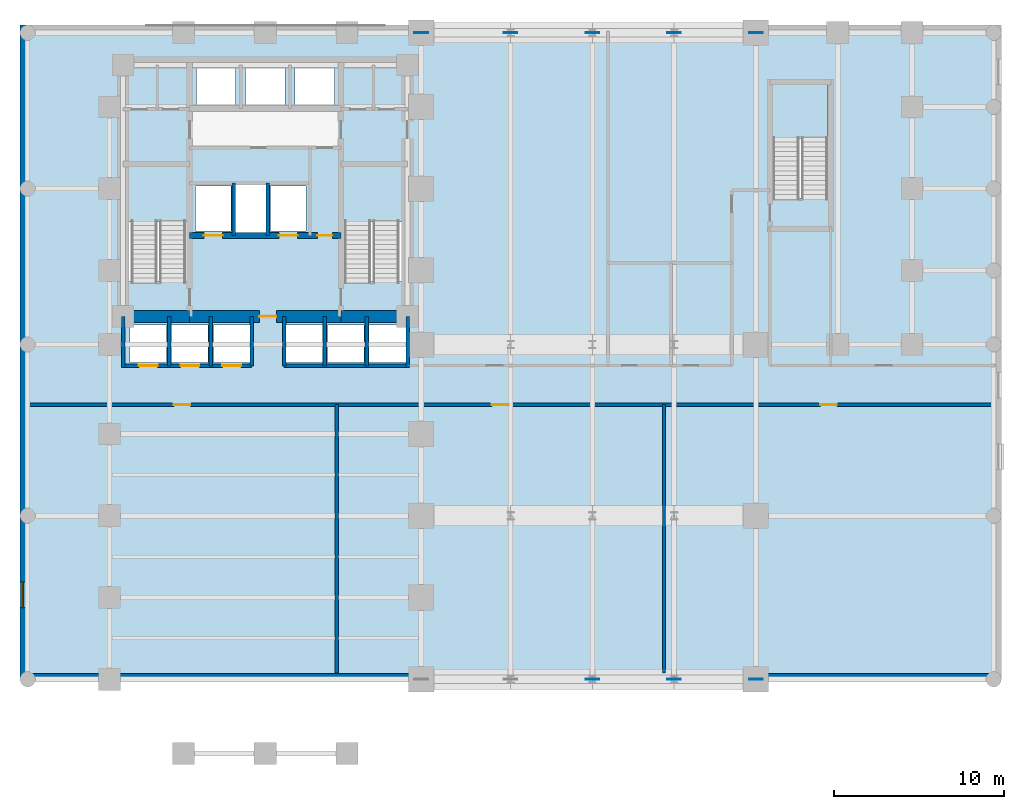
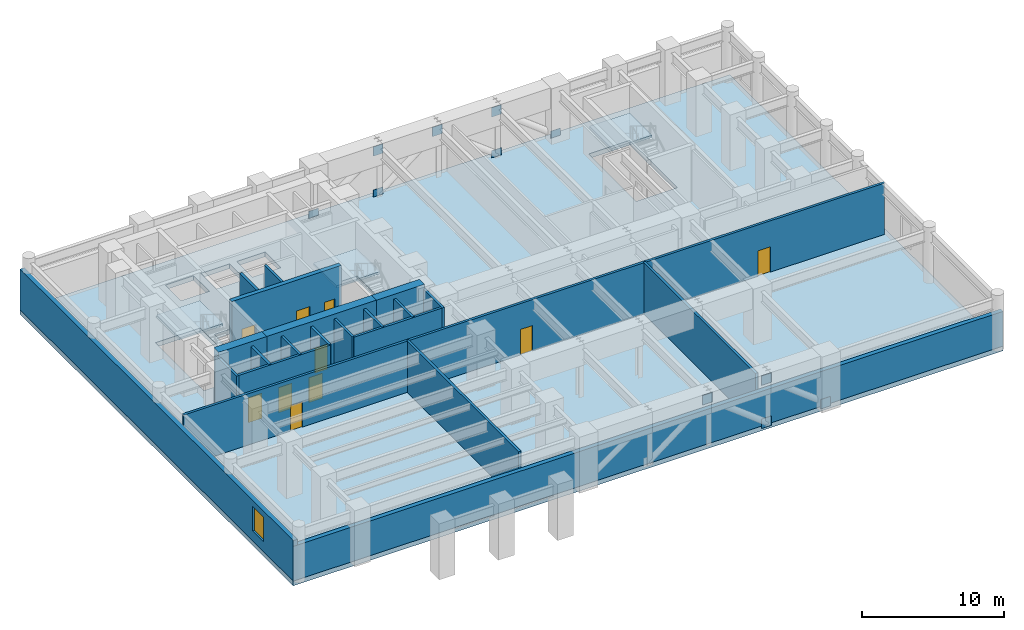
# One storey, part 3 of 8: 21 walls, 11 plates, 10 doors, 4 slabs, 1 window, 11 openings, 3 elements without a shape of their own.
"""IFC4 building model written with IfcOpenShell, lengths in metres."""

from ifc_helpers import new_model, si_unit, direction, frame, frame_2d, origin, origin_2d, place, context, subcontext, project, spatial, polyline, rectangle, outline, extrude, material, layer, layer_set, type_object, element, fill, aggregate, save


model = new_model("IFC4")

# Units and contexts
model_context = context("Model", 3, precision=1e-05, world=origin(), true_north=direction((0.0, 1.0)))
body_context = subcontext(model_context, "Body", "Model", "MODEL_VIEW")
ifc_project = project(units=[si_unit("LENGTHUNIT", "METRE"), si_unit("AREAUNIT", "SQUARE_METRE"), si_unit("VOLUMEUNIT", "CUBIC_METRE"), si_unit("PLANEANGLEUNIT", "RADIAN"), si_unit("MASSUNIT", "GRAM", prefix="KILO")], contexts=[model_context])

# Site, building, storey
site_placement = place(None, origin())
site = spatial("IfcSite", under=ifc_project, at=site_placement, CompositionType="ELEMENT")
building_placement = place(site_placement, origin())
building = spatial("IfcBuilding", under=site, at=building_placement, Name="Orvandelia Arch Residences", CompositionType="ELEMENT")
storey_placement = place(building_placement, frame((0.0, 0.0, 14.800048828125)))
storey = spatial("IfcBuildingStorey", under=building, at=storey_placement, Name="L03", CompositionType="ELEMENT", Elevation=14.800048828125)

# Plates
ifc_material_1 = material(Name="Structural Steel HSA650 (650 MPa)", Category="steel")
ifc_layer_1 = layer(ifc_material_1, 0.0400390625, Name="Structural Steel HSA650 (650 MPa)", Category="steel")
ifc_layer_set_1 = layer_set([ifc_layer_1], Name="Structural Steel HSA650 (650 MPa)")
plate_type = type_object("IfcPlateType", Name="PLT-GUSSET-800", PredefinedType="USERDEFINED", material=ifc_layer_set_1)
for number, where, z_axis, x_axis, name in (
    (1, (33.60009765625, 9.60009765625, 3.5), (0.0, 0.0, 1.0), (1.0, 0.0, 0.0), "Arch Transfer Truss Upper Gusset Plate GP1"),
    (2, (38.39990234375, 9.60009765625, -0.2001953125), (0.0, 0.0, 1.0), (1.0, 0.0, 0.0), "Arch Transfer Truss Lower Gusset Plate GP1"),
    (3, (43.199951171875, 9.60009765625, -0.2001953125), (0.0, 0.0, 1.0), (1.0, 0.0, 0.0), "Arch Transfer Truss Lower Gusset Plate GP1"),
    (4, (38.39990234375, 9.60009765625, 3.5), (0.0, 0.0, 1.0), (1.0, 0.0, 0.0), "Arch Transfer Truss Upper Gusset Plate GP1"),
    (5, (23.550048828125, 47.550048828125, -0.2001953125), (0.0, 0.0, 1.0), (1.0, 0.0, 0.0), "Arch Transfer Truss Lower Gusset Plate GP1"),
    (6, (28.800048828125, 47.550048828125, 3.5), (0.0, 0.0, 1.0), (1.0, 0.0, 0.0), "Arch Transfer Truss Upper Gusset Plate GP1"),
    (7, (28.800048828125, 47.550048828125, -0.2001953125), (0.0, 0.0, 1.0), (1.0, 0.0, 0.0), "Arch Transfer Truss Lower Gusset Plate GP1"),
    (8, (33.60009765625, 47.550048828125, 3.5), (0.0, 0.0, 1.0), (1.0, 0.0, 0.0), "Arch Transfer Truss Upper Gusset Plate GP1"),
    (9, (38.39990234375, 47.550048828125, -0.2001953125), (0.0, 0.0, 1.0), (1.0, 0.0, 0.0), "Arch Transfer Truss Lower Gusset Plate GP1"),
    (10, (43.199951171875, 47.550048828125, -0.2001953125), (0.0, 0.0, 1.0), (1.0, 0.0, 0.0), "Arch Transfer Truss Lower Gusset Plate GP1"),
    (11, (38.39990234375, 47.550048828125, 3.5), (0.0, 0.0, 1.0), (1.0, 0.0, 0.0), "Arch Transfer Truss Upper Gusset Plate GP1"),
):
    element("IfcPlate", number, at=place(storey_placement, frame(where, z_axis=z_axis, x_axis=x_axis)), inside=storey, type_object=plate_type, Name=name, ObjectType="GUSSET_PLATE", PredefinedType="USERDEFINED", context=body_context, shape_type="SweptSolid", body=[
        extrude(rectangle(XDim=0.800048828125, YDim=0.0400390625, at=origin_2d()), origin(), (0.0, 0.0, 1.0), 0.800048828125),
    ])

# Stair, slab
ifc_material_2 = material(Name="Concrete C40/50", Category="concrete")
stair_type = type_object("IfcStairType", Name="STAIR-RC-DOGLEG", PredefinedType="HALF_TURN_STAIR", material=ifc_material_2)
stair_1_placement = place(storey_placement, origin())
stair_1 = element("IfcStair", 12, at=stair_1_placement, inside=storey, type_object=stair_type, Name="L03 Protected Exit Stair ST-1", PredefinedType="HALF_TURN_STAIR")
ifc_layer_2 = layer(ifc_material_2, 0.219970703125, Name="Concrete C40/50", Category="concrete")
ifc_layer_set_2 = layer_set([ifc_layer_2], Name="Concrete C40/50")
slab_type_1 = type_object("IfcSlabType", Name="SLB-LANDING-220", PredefinedType="LANDING", material=ifc_layer_set_2)
slab_1_placement = place(storey_placement, frame((0.0, 0.0, 2.199951171875)))
slab_1 = element("IfcSlab", 13, at=slab_1_placement, type_object=slab_type_1, Name="ST-1 landing 1", PredefinedType="LANDING", context=body_context, shape_type="SweptSolid", body=[
    extrude(outline(polyline([(9.800048828125, 36.429931640625), (9.800048828125, 39.68994140625), (6.260009765625, 39.68994140625), (6.260009765625, 36.429931640625), (9.800048828125, 36.429931640625)])), origin(), (0.0, 0.0, 1.0), 0.199951171875),
])
aggregate(stair_1, [slab_1])

stair_2_placement = place(storey_placement, origin())
stair_2 = element("IfcStair", 14, at=stair_2_placement, inside=storey, type_object=stair_type, Name="L03 Protected Exit Stair ST-2", PredefinedType="HALF_TURN_STAIR")
slab_2_placement = place(storey_placement, frame((0.0, 0.0, 2.199951171875)))
slab_2 = element("IfcSlab", 15, at=slab_2_placement, type_object=slab_type_1, Name="ST-2 landing 1", PredefinedType="LANDING", context=body_context, shape_type="SweptSolid", body=[
    extrude(outline(polyline([(22.5400390625, 36.429931640625), (22.5400390625, 39.68994140625), (19.0, 39.68994140625), (19.0, 36.429931640625), (22.5400390625, 36.429931640625)])), origin(), (0.0, 0.0, 1.0), 0.199951171875),
])
aggregate(stair_2, [slab_2])

stair_3_placement = place(storey_placement, origin())
stair_3 = element("IfcStair", 16, at=stair_3_placement, inside=storey, type_object=stair_type, Name="L03 East Wing Exit Stair ST-3", PredefinedType="HALF_TURN_STAIR")
slab_3_placement = place(storey_placement, frame((0.0, 0.0, 2.199951171875)))
slab_3 = element("IfcSlab", 17, at=slab_3_placement, type_object=slab_type_1, Name="ST-3 landing 1", PredefinedType="LANDING", context=body_context, shape_type="SweptSolid", body=[
    extrude(outline(polyline([(47.43994140625, 41.330078125), (47.43994140625, 44.5), (44.179931640625, 44.5), (44.179931640625, 41.330078125), (47.43994140625, 41.330078125)])), origin(), (0.0, 0.0, 1.0), 0.199951171875),
])
aggregate(stair_3, [slab_3])

# Slab
ifc_material_3 = material(Name="Concrete C60/75", Category="concrete")
ifc_layer_3 = layer(ifc_material_3, 0.39990234375, Name="Concrete C60/75", Category="concrete")
ifc_layer_set_3 = layer_set([ifc_layer_3], Name="Concrete C60/75")
slab_type_2 = type_object("IfcSlabType", Name="SLB-XFER-400", PredefinedType="FLOOR", material=ifc_layer_set_3)
slab_4_placement = place(storey_placement, frame((0.0, 0.0, -0.400146484375)))
element("IfcSlab", 18, at=slab_4_placement, inside=storey, type_object=slab_type_2, Name="Structural Floor Slab L03-1", PredefinedType="FLOOR", context=body_context, shape_type="SweptSolid", body=[
    extrude(outline(polyline([(0.0, 9.60009765625), (57.60009765625, 9.60009765625), (57.60009765625, 48.0), (0.0, 48.0), (0.0, 9.60009765625)]), holes=[polyline([(6.219970703125, 32.949951171875), (9.840087890625, 32.949951171875), (9.840087890625, 39.72998046875), (6.219970703125, 39.72998046875), (6.219970703125, 32.949951171875)]), polyline([(18.9599609375, 32.949951171875), (22.580078125, 32.949951171875), (22.580078125, 39.72998046875), (18.9599609375, 39.72998046875), (18.9599609375, 32.949951171875)]), polyline([(44.139892578125, 37.85009765625), (47.47998046875, 37.85009765625), (47.47998046875, 44.5400390625), (44.139892578125, 44.5400390625), (44.139892578125, 37.85009765625)]), polyline([(12.639892578125, 35.81005859375), (14.4599609375, 35.81005859375), (14.4599609375, 38.639892578125), (12.639892578125, 38.639892578125), (12.639892578125, 35.81005859375)]), polyline([(10.300048828125, 35.89990234375), (12.39990234375, 35.89990234375), (12.39990234375, 38.550048828125), (10.300048828125, 38.550048828125), (10.300048828125, 35.89990234375)]), polyline([(14.699951171875, 35.89990234375), (16.800048828125, 35.89990234375), (16.800048828125, 38.550048828125), (14.699951171875, 38.550048828125), (14.699951171875, 35.89990234375)]), polyline([(10.35009765625, 43.300048828125), (12.64990234375, 43.300048828125), (12.64990234375, 45.5), (10.35009765625, 45.5), (10.35009765625, 43.300048828125)]), polyline([(13.25, 43.300048828125), (15.550048828125, 43.300048828125), (15.550048828125, 45.5), (13.25, 45.5), (13.25, 43.300048828125)]), polyline([(16.14990234375, 43.300048828125), (18.449951171875, 43.300048828125), (18.449951171875, 45.5), (16.14990234375, 45.5), (16.14990234375, 43.300048828125)]), polyline([(6.449951171875, 28.199951171875), (8.60009765625, 28.199951171875), (8.60009765625, 30.39990234375), (6.449951171875, 30.39990234375), (6.449951171875, 28.199951171875)]), polyline([(8.89990234375, 28.199951171875), (11.050048828125, 28.199951171875), (11.050048828125, 30.39990234375), (8.89990234375, 30.39990234375), (8.89990234375, 28.199951171875)]), polyline([(11.35009765625, 28.199951171875), (13.5, 28.199951171875), (13.5, 30.39990234375), (11.35009765625, 30.39990234375), (11.35009765625, 28.199951171875)]), polyline([(15.60009765625, 28.199951171875), (17.75, 28.199951171875), (17.75, 30.39990234375), (15.60009765625, 30.39990234375), (15.60009765625, 28.199951171875)]), polyline([(18.050048828125, 28.199951171875), (20.199951171875, 28.199951171875), (20.199951171875, 30.39990234375), (18.050048828125, 30.39990234375), (18.050048828125, 28.199951171875)]), polyline([(20.5, 28.199951171875), (22.64990234375, 28.199951171875), (22.64990234375, 30.39990234375), (20.5, 30.39990234375), (20.5, 28.199951171875)])]), origin(), (0.0, 0.0, 1.0), 0.400146484375),
])

# Wall, openings, doors
ifc_material_4 = material(Name="Concrete C50/60", Category="concrete")
ifc_layer_4 = layer(ifc_material_4, 0.35009765625, Name="Concrete C50/60", Category="concrete")
ifc_layer_set_4 = layer_set([ifc_layer_4], Name="Concrete C50/60")
wall_type_1 = type_object("IfcWallType", Name="WL-CORE-350", PredefinedType="SHEAR", material=ifc_layer_set_4)
wall_1_placement = place(storey_placement, frame((9.9599609375, 35.64990234375, 0.0), z_axis=(0.0, 0.0, 1.0), x_axis=(1.0, 0.0, 0.0)))
wall_1 = element("IfcWall", 19, at=wall_1_placement, inside=storey, type_object=wall_type_1, Name="Core Shear Wall L03-HZ3", PredefinedType="SHEAR", context=body_context, shape_type="SweptSolid", body=[
    extrude(rectangle(XDim=8.880126953125, YDim=0.35009765625, at=frame_2d((4.43994140625, 0.0))), origin(), (0.0, 0.0, 1.0), 4.800048828125),
])
opening_1_placement = place(wall_1_placement, frame((0.840087890625, 0.0, 0.0)))
opening_1 = element("IfcOpeningElement", 20, at=opening_1_placement, cuts=wall_1, Name="Opening FLD", PredefinedType="OPENING", context=body_context, shape_type="SweptSolid", body=[
    extrude(rectangle(XDim=1.10009765625, YDim=2.14990234375, at=frame_2d((0.550048828125, 1.074951171875))), frame((0.0, 0.18505859375, 0.0), z_axis=(0.0, -1.0, 0.0), x_axis=(1.0, 0.0, 0.0)), (0.0, 0.0, 1.0), 0.3701171875),
])
opening_2_placement = place(wall_1_placement, frame((5.239990234375, 0.0, 0.0)))
opening_2 = element("IfcOpeningElement", 21, at=opening_2_placement, cuts=wall_1, Name="Opening FLD", PredefinedType="OPENING", context=body_context, shape_type="SweptSolid", body=[
    extrude(rectangle(XDim=1.10009765625, YDim=2.14990234375, at=frame_2d((0.550048828125, 1.074951171875))), frame((0.0, 0.18505859375, 0.0), z_axis=(0.0, -1.0, 0.0), x_axis=(1.0, 0.0, 0.0)), (0.0, 0.0, 1.0), 0.3701171875),
])
opening_3_placement = place(wall_1_placement, frame((7.5, 0.0, 0.0)))
opening_3 = element("IfcOpeningElement", 22, at=opening_3_placement, cuts=wall_1, Name="Opening D5", PredefinedType="OPENING", context=body_context, shape_type="SweptSolid", body=[
    extrude(rectangle(XDim=0.8798828125, YDim=2.10009765625, at=frame_2d((0.43994140625, 1.050048828125))), frame((0.0, 0.18505859375, 0.0), z_axis=(0.0, -1.0, 0.0), x_axis=(1.0, 0.0, 0.0)), (0.0, 0.0, 1.0), 0.3701171875),
])
ifc_material_5 = material(Name="Firefighting Lift Stainless Sliding Door")
door_type_1 = type_object("IfcDoorType", Name="DR-FLFT-1100", OperationType="NOTDEFINED", PredefinedType="DOOR", material=ifc_material_5)
door_1_placement = place(opening_1_placement, origin())
door_1 = element("IfcDoor", 23, at=door_1_placement, inside=storey, type_object=door_type_1, Name="Firefighting Lift Landing Door FLD-FL1-L03", OperationType="SLIDING_TO_LEFT", OverallHeight=2.14990234375, OverallWidth=1.10009765625, PredefinedType="DOOR", context=body_context, shape_type="SweptSolid", body=[
    extrude(rectangle(XDim=1.10009765625, YDim=2.14990234375, at=frame_2d((0.550048828125, 1.074951171875))), frame((0.0, 0.02490234375, 0.0), z_axis=(0.0, -1.0, 0.0), x_axis=(1.0, 0.0, 0.0)), (0.0, 0.0, 1.0), 0.050048828125),
])
fill(opening_1, door_1)
door_2_placement = place(opening_2_placement, origin())
door_2 = element("IfcDoor", 24, at=door_2_placement, inside=storey, type_object=door_type_1, Name="Firefighting Lift Landing Door FLD-FL2-L03", OperationType="SLIDING_TO_RIGHT", OverallHeight=2.14990234375, OverallWidth=1.10009765625, PredefinedType="DOOR", context=body_context, shape_type="SweptSolid", body=[
    extrude(rectangle(XDim=1.10009765625, YDim=2.14990234375, at=frame_2d((0.550048828125, 1.074951171875))), frame((0.0, 0.02490234375, 0.0), z_axis=(0.0, -1.0, 0.0), x_axis=(1.0, 0.0, 0.0)), (0.0, 0.0, 1.0), 0.050048828125),
])
fill(opening_2, door_2)
ifc_material_6 = material(Name="Painted Galvanised Steel Service Door", Category="steel")
door_type_2 = type_object("IfcDoorType", Name="DR-SRV-880", OperationType="NOTDEFINED", PredefinedType="DOOR", material=ifc_material_6)
door_3_placement = place(opening_3_placement, origin())
door_3 = element("IfcDoor", 25, at=door_3_placement, inside=storey, type_object=door_type_2, Name="Core Stairway Passage South Fire Door L03", OperationType="SINGLE_SWING_LEFT", OverallHeight=2.10009765625, OverallWidth=0.8798828125, PredefinedType="DOOR", context=body_context, shape_type="SweptSolid", body=[
    extrude(rectangle(XDim=0.8798828125, YDim=2.10009765625, at=frame_2d((0.43994140625, 1.050048828125))), frame((0.0, 0.02490234375, 0.0), z_axis=(0.0, -1.0, 0.0), x_axis=(1.0, 0.0, 0.0)), (0.0, 0.0, 1.0), 0.050048828125),
])
fill(opening_3, door_3)

# Wall
ifc_material_7 = material(Name="Concrete C80/95", Category="concrete")
ifc_layer_5 = layer(ifc_material_7, 0.699951171875, Name="Concrete C80/95", Category="concrete")
ifc_layer_set_5 = layer_set([ifc_layer_5], Name="Concrete C80/95")
wall_type_2 = type_object("IfcWallType", Name="WL-CORE-700", PredefinedType="SHEAR", material=ifc_layer_set_5)
wall_2_placement = place(storey_placement, frame((6.050048828125, 30.89990234375, 0.0), z_axis=(0.0, 0.0, 1.0), x_axis=(1.0, 0.0, 0.0)))
element("IfcWall", 26, at=wall_2_placement, inside=storey, type_object=wall_type_2, Name="Core Shear Wall L03-SW", PredefinedType="SHEAR", context=body_context, shape_type="SweptSolid", body=[
    extrude(rectangle(XDim=3.909912109375, YDim=0.699951171875, at=frame_2d((1.955078125, 0.0))), origin(), (0.0, 0.0, 1.0), 4.800048828125),
])

# Wall, opening, door
wall_3_placement = place(storey_placement, frame((9.9599609375, 30.89990234375, 0.0), z_axis=(0.0, 0.0, 1.0), x_axis=(1.0, 0.0, 0.0)))
wall_3 = element("IfcWall", 27, at=wall_3_placement, inside=storey, type_object=wall_type_2, Name="Core Shear Wall L03-SM", PredefinedType="SHEAR", context=body_context, shape_type="SweptSolid", body=[
    extrude(rectangle(XDim=8.880126953125, YDim=0.699951171875, at=frame_2d((4.43994140625, 0.0))), origin(), (0.0, 0.0, 1.0), 4.800048828125),
])
opening_4_placement = place(wall_3_placement, frame((4.090087890625, 0.0, 0.0)))
opening_4 = element("IfcOpeningElement", 28, at=opening_4_placement, cuts=wall_3, Name="Opening D6", PredefinedType="OPENING", context=body_context, shape_type="SweptSolid", body=[
    extrude(rectangle(XDim=1.0, YDim=2.14990234375, at=frame_2d((0.5, 1.074951171875))), frame((0.0, 0.35986328125, 0.0), z_axis=(0.0, -1.0, 0.0), x_axis=(1.0, 0.0, 0.0)), (0.0, 0.0, 1.0), 0.719970703125),
])
ifc_material_8 = material(Name="Smokeproof Painted Steel Fire Door", Category="steel")
door_type_3 = type_object("IfcDoorType", Name="DR-FD60-1000", OperationType="NOTDEFINED", PredefinedType="DOOR", material=ifc_material_8)
door_4_placement = place(opening_4_placement, origin())
door_4 = element("IfcDoor", 29, at=door_4_placement, inside=storey, type_object=door_type_3, Name="Firefighting Lobby Smokeproof Door L03", OperationType="SINGLE_SWING_LEFT", OverallHeight=2.14990234375, OverallWidth=1.0, PredefinedType="DOOR", context=body_context, shape_type="SweptSolid", body=[
    extrude(rectangle(XDim=1.0, YDim=2.14990234375, at=frame_2d((0.5, 1.074951171875))), frame((0.0, 0.02490234375, 0.0), z_axis=(0.0, -1.0, 0.0), x_axis=(1.0, 0.0, 0.0)), (0.0, 0.0, 1.0), 0.050048828125),
])
fill(opening_4, door_4)

# Wall
wall_4_placement = place(storey_placement, frame((18.840087890625, 30.89990234375, 0.0), z_axis=(0.0, 0.0, 1.0), x_axis=(1.0, 0.0, 0.0)))
element("IfcWall", 30, at=wall_4_placement, inside=storey, type_object=wall_type_2, Name="Core Shear Wall L03-SE", PredefinedType="SHEAR", context=body_context, shape_type="SweptSolid", body=[
    extrude(rectangle(XDim=3.909912109375, YDim=0.699951171875, at=frame_2d((1.955078125, 0.0))), origin(), (0.0, 0.0, 1.0), 4.800048828125),
])

# Wall, openings, doors
ifc_material_9 = material(Name="Fire-Rated Corridor Partition")
ifc_layer_6 = layer(ifc_material_9, 0.199951171875, Name="Fire-Rated Corridor Partition")
ifc_layer_set_6 = layer_set([ifc_layer_6], Name="Fire-Rated Corridor Partition")
wall_type_3 = type_object("IfcWallType", Name="WL-CORR-200", PredefinedType="PARTITIONING", material=ifc_layer_set_6)
wall_5_placement = place(storey_placement, frame((0.360107421875, 25.719970703125, 0.0), z_axis=(0.0, 0.0, 1.0), x_axis=(1.0, 0.0, 0.0)))
wall_5 = element("IfcWall", 31, at=wall_5_placement, inside=storey, type_object=wall_type_3, Name="Interior Partition Wall WL-L03-BRG-S", PredefinedType="PARTITIONING", context=body_context, shape_type="SweptSolid", body=[
    extrude(rectangle(XDim=56.8798828125, YDim=0.199951171875, at=frame_2d((28.43994140625, 0.0))), origin(), (0.0, 0.0, 1.0), 4.39990234375),
])
opening_5_placement = place(wall_5_placement, frame((8.6650390625, 0.0, 0.0)))
opening_5 = element("IfcOpeningElement", 32, at=opening_5_placement, cuts=wall_5, Name="Opening D1", PredefinedType="OPENING", context=body_context, shape_type="SweptSolid", body=[
    extrude(rectangle(XDim=0.97998046875, YDim=2.179931640625, at=frame_2d((0.489990234375, 1.08984375))), frame((0.0, 0.10986328125, 0.0), z_axis=(0.0, -1.0, 0.0), x_axis=(1.0, 0.0, 0.0)), (0.0, 0.0, 1.0), 0.219970703125),
])
opening_6_placement = place(wall_5_placement, frame((27.340087890625, 0.0, 0.0)))
opening_6 = element("IfcOpeningElement", 33, at=opening_6_placement, cuts=wall_5, Name="Opening D1", PredefinedType="OPENING", context=body_context, shape_type="SweptSolid", body=[
    extrude(rectangle(XDim=0.97998046875, YDim=2.179931640625, at=frame_2d((0.489990234375, 1.08984375))), frame((0.0, 0.10986328125, 0.0), z_axis=(0.0, -1.0, 0.0), x_axis=(1.0, 0.0, 0.0)), (0.0, 0.0, 1.0), 0.219970703125),
])
opening_7_placement = place(wall_5_placement, frame((46.614990234375, 0.0, 0.0)))
opening_7 = element("IfcOpeningElement", 34, at=opening_7_placement, cuts=wall_5, Name="Opening D1", PredefinedType="OPENING", context=body_context, shape_type="SweptSolid", body=[
    extrude(rectangle(XDim=0.97998046875, YDim=2.179931640625, at=frame_2d((0.489990234375, 1.08984375))), frame((0.0, 0.10986328125, 0.0), z_axis=(0.0, -1.0, 0.0), x_axis=(1.0, 0.0, 0.0)), (0.0, 0.0, 1.0), 0.219970703125),
])
ifc_material_10 = material(Name="Solid-Core Timber Acoustic Fire Door", Category="wood")
door_type_4 = type_object("IfcDoorType", Name="DR-ENT-980", OperationType="NOTDEFINED", PredefinedType="DOOR", material=ifc_material_10)
door_5_placement = place(opening_5_placement, origin())
door_5 = element("IfcDoor", 35, at=door_5_placement, inside=storey, type_object=door_type_4, Name="DR-L03-PS1", OperationType="SINGLE_SWING_LEFT", OverallHeight=2.179931640625, OverallWidth=0.97998046875, PredefinedType="DOOR", context=body_context, shape_type="SweptSolid", body=[
    extrude(rectangle(XDim=0.97998046875, YDim=2.179931640625, at=frame_2d((0.489990234375, 1.08984375))), frame((0.0, 0.02490234375, 0.0), z_axis=(0.0, -1.0, 0.0), x_axis=(1.0, 0.0, 0.0)), (0.0, 0.0, 1.0), 0.050048828125),
])
fill(opening_5, door_5)
door_6_placement = place(opening_6_placement, origin())
door_6 = element("IfcDoor", 36, at=door_6_placement, inside=storey, type_object=door_type_4, Name="DR-L03-PS2", OperationType="SINGLE_SWING_RIGHT", OverallHeight=2.179931640625, OverallWidth=0.97998046875, PredefinedType="DOOR", context=body_context, shape_type="SweptSolid", body=[
    extrude(rectangle(XDim=0.97998046875, YDim=2.179931640625, at=frame_2d((0.489990234375, 1.08984375))), frame((0.0, 0.02490234375, 0.0), z_axis=(0.0, -1.0, 0.0), x_axis=(1.0, 0.0, 0.0)), (0.0, 0.0, 1.0), 0.050048828125),
])
fill(opening_6, door_6)
door_7_placement = place(opening_7_placement, origin())
door_7 = element("IfcDoor", 37, at=door_7_placement, inside=storey, type_object=door_type_4, Name="DR-L03-PS3", OperationType="SINGLE_SWING_LEFT", OverallHeight=2.179931640625, OverallWidth=0.97998046875, PredefinedType="DOOR", context=body_context, shape_type="SweptSolid", body=[
    extrude(rectangle(XDim=0.97998046875, YDim=2.179931640625, at=frame_2d((0.489990234375, 1.08984375))), frame((0.0, 0.02490234375, 0.0), z_axis=(0.0, -1.0, 0.0), x_axis=(1.0, 0.0, 0.0)), (0.0, 0.0, 1.0), 0.050048828125),
])
fill(opening_7, door_7)

# Walls
ifc_layer_7 = layer(ifc_material_2, 0.199951171875, Name="Concrete C40/50", Category="concrete")
ifc_layer_set_7 = layer_set([ifc_layer_7], Name="Concrete C40/50")
wall_type_4 = type_object("IfcWallType", Name="WL-DEM-200", PredefinedType="SOLIDWALL", material=ifc_layer_set_7)
for number, where, z_axis, x_axis, name in (
    (38, (18.60009765625, 9.9599609375, 0.0), (0.0, 0.0, 1.0), (0.0, 1.0, 0.0), "Interior Partition Wall WL-L03-SD-1"),
    (39, (37.800048828125, 9.9599609375, 0.0), (0.0, 0.0, 1.0), (0.0, 1.0, 0.0), "Interior Partition Wall WL-L03-SD-2"),
):
    element("IfcWall", number, at=place(storey_placement, frame(where, z_axis=z_axis, x_axis=x_axis)), inside=storey, type_object=wall_type_4, Name=name, PredefinedType="SOLIDWALL", context=body_context, shape_type="SweptSolid", body=[
        extrude(rectangle(XDim=15.760009765625, YDim=0.199951171875, at=frame_2d((7.8798828125, 0.0))), origin(), (0.0, 0.0, 1.0), 4.39990234375),
    ])
ifc_material_11 = material(Name="Precast concrete C40/50", Category="concrete")
ifc_layer_8 = layer(ifc_material_11, 0.35009765625, Name="Precast concrete C40/50", Category="concrete")
ifc_layer_set_8 = layer_set([ifc_layer_8], Name="Precast concrete C40/50")
wall_type_5 = type_object("IfcWallType", Name="WL-EXT-POD-350", PredefinedType="STANDARD", material=ifc_layer_set_8)
wall_6_placement = place(storey_placement, frame((57.60009765625, 9.77490234375, 0.0), z_axis=(0.0, 0.0, 1.0), x_axis=(-1.0, 0.0, 0.0)))
element("IfcWall", 40, at=wall_6_placement, inside=storey, type_object=wall_type_5, Name="Coral-Limestone Precast Facade Wall L03-003", PredefinedType="STANDARD", context=body_context, shape_type="SweptSolid", body=[
    extrude(rectangle(XDim=57.60009765625, YDim=0.35009765625, at=frame_2d((28.800048828125, 0.0))), origin(), (0.0, 0.0, 1.0), 2.97998046875),
])

# Wall, opening, window
wall_7_placement = place(storey_placement, frame((0.175048828125, 9.60009765625, 0.0), z_axis=(0.0, 0.0, 1.0), x_axis=(0.0, 1.0, 0.0)))
wall_7 = element("IfcWall", 41, at=wall_7_placement, inside=storey, type_object=wall_type_5, Name="Coral-Limestone Precast Facade Wall L03-004", PredefinedType="STANDARD", context=body_context, shape_type="SweptSolid", body=[
    extrude(rectangle(XDim=38.39990234375, YDim=0.35009765625, at=frame_2d((19.199951171875, 0.0))), origin(), (0.0, 0.0, 1.0), 3.47998046875),
])
opening_8_placement = place(wall_7_placement, frame((4.199951171875, 0.0, 0.85009765625)))
opening_8 = element("IfcOpeningElement", 42, at=opening_8_placement, cuts=wall_7, Name="Opening W2", PredefinedType="OPENING", context=body_context, shape_type="SweptSolid", body=[
    extrude(rectangle(XDim=1.5, YDim=2.10009765625, at=frame_2d((0.75, 1.050048828125))), frame((0.0, 0.18505859375, 0.0), z_axis=(0.0, -1.0, 0.0), x_axis=(1.0, 0.0, 0.0)), (0.0, 0.0, 1.0), 0.3701171875),
])
ifc_material_12 = material(Name="Tempered Low-E Insulated Glazing", Category="glass")
window_type = type_object("IfcWindowType", Name="WIN-RES-1500x2100", PartitioningType="SINGLE_PANEL", PredefinedType="WINDOW", material=ifc_material_12)
window_placement = place(opening_8_placement, origin())
window = element("IfcWindow", 43, at=window_placement, inside=storey, type_object=window_type, Name="Recessed Punched Window L03-004", OverallHeight=2.10009765625, OverallWidth=1.5, PartitioningType="SINGLE_PANEL", PredefinedType="WINDOW", context=body_context, shape_type="SweptSolid", body=[
    extrude(rectangle(XDim=1.5, YDim=2.10009765625, at=frame_2d((0.75, 1.050048828125))), frame((0.0, 0.030029296875, 0.0), z_axis=(0.0, -1.0, 0.0), x_axis=(1.0, 0.0, 0.0)), (0.0, 0.0, 1.0), 0.06005859375),
])
fill(opening_8, window)

# Walls
ifc_material_13 = material(Name="Fire-Rated Shaft Enclosure Wall")
ifc_layer_9 = layer(ifc_material_13, 0.199951171875, Name="Fire-Rated Shaft Enclosure Wall")
ifc_layer_set_9 = layer_set([ifc_layer_9], Name="Fire-Rated Shaft Enclosure Wall")
wall_type_6 = type_object("IfcWallType", Name="WL-SHAFT-200", PredefinedType="POLYGONAL", material=ifc_layer_set_9)
for number, where, z_axis, x_axis, name in (
    (44, (12.550048828125, 35.64990234375, 0.0), (0.0, 0.0, 1.0), (0.0, 1.0, 0.0), "Interior Partition Wall WL-L03-FLM1"),
    (45, (14.550048828125, 35.64990234375, 0.0), (0.0, 0.0, 1.0), (0.0, 1.0, 0.0), "Interior Partition Wall WL-L03-FLM2"),
):
    element("IfcWall", number, at=place(storey_placement, frame(where, z_axis=z_axis, x_axis=x_axis)), inside=storey, type_object=wall_type_6, Name=name, PredefinedType="POLYGONAL", context=body_context, shape_type="SweptSolid", body=[
        extrude(rectangle(XDim=3.070068359375, YDim=0.199951171875, at=frame_2d((1.53515625, 0.0))), origin(), (0.0, 0.0, 1.0), 4.39990234375),
    ])

# Wall, openings, doors
wall_8_placement = place(storey_placement, frame((6.050048828125, 28.0, 0.0), z_axis=(0.0, 0.0, 1.0), x_axis=(1.0, 0.0, 0.0)))
wall_8 = element("IfcWall", 46, at=wall_8_placement, inside=storey, type_object=wall_type_6, Name="Interior Partition Wall WL-L03-BNKL-S", PredefinedType="POLYGONAL", context=body_context, shape_type="SweptSolid", body=[
    extrude(rectangle(XDim=7.550048828125, YDim=0.199951171875, at=frame_2d((3.77490234375, 0.0))), origin(), (0.0, 0.0, 1.0), 4.39990234375),
])
opening_9_placement = place(wall_8_placement, frame((0.925048828125, 0.0, 0.0)))
opening_9 = element("IfcOpeningElement", 47, at=opening_9_placement, cuts=wall_8, Name="Opening LD", PredefinedType="OPENING", context=body_context, shape_type="SweptSolid", body=[
    extrude(rectangle(XDim=1.10009765625, YDim=2.14990234375, at=frame_2d((0.550048828125, 1.074951171875))), frame((0.0, 0.10986328125, 0.0), z_axis=(0.0, -1.0, 0.0), x_axis=(1.0, 0.0, 0.0)), (0.0, 0.0, 1.0), 0.219970703125),
])
opening_10_placement = place(wall_8_placement, frame((3.375, 0.0, 0.0)))
opening_10 = element("IfcOpeningElement", 48, at=opening_10_placement, cuts=wall_8, Name="Opening LD", PredefinedType="OPENING", context=body_context, shape_type="SweptSolid", body=[
    extrude(rectangle(XDim=1.10009765625, YDim=2.14990234375, at=frame_2d((0.550048828125, 1.074951171875))), frame((0.0, 0.10986328125, 0.0), z_axis=(0.0, -1.0, 0.0), x_axis=(1.0, 0.0, 0.0)), (0.0, 0.0, 1.0), 0.219970703125),
])
opening_11_placement = place(wall_8_placement, frame((5.824951171875, 0.0, 0.0)))
opening_11 = element("IfcOpeningElement", 49, at=opening_11_placement, cuts=wall_8, Name="Opening LD", PredefinedType="OPENING", context=body_context, shape_type="SweptSolid", body=[
    extrude(rectangle(XDim=1.10009765625, YDim=2.14990234375, at=frame_2d((0.550048828125, 1.074951171875))), frame((0.0, 0.10986328125, 0.0), z_axis=(0.0, -1.0, 0.0), x_axis=(1.0, 0.0, 0.0)), (0.0, 0.0, 1.0), 0.219970703125),
])
ifc_material_14 = material(Name="Brushed Stainless Steel Sliding Lift Door", Category="steel")
door_type_5 = type_object("IfcDoorType", Name="DR-LIFT-1100", OperationType="NOTDEFINED", PredefinedType="DOOR", material=ifc_material_14)
door_8_placement = place(opening_9_placement, origin())
door_8 = element("IfcDoor", 50, at=door_8_placement, inside=storey, type_object=door_type_5, Name="Lift Landing Door LD-PL1", OperationType="SLIDING_TO_LEFT", OverallHeight=2.14990234375, OverallWidth=1.10009765625, PredefinedType="DOOR", context=body_context, shape_type="SweptSolid", body=[
    extrude(rectangle(XDim=1.10009765625, YDim=2.14990234375, at=frame_2d((0.550048828125, 1.074951171875))), frame((0.0, 0.02490234375, 0.0), z_axis=(0.0, -1.0, 0.0), x_axis=(1.0, 0.0, 0.0)), (0.0, 0.0, 1.0), 0.050048828125),
])
fill(opening_9, door_8)
door_9_placement = place(opening_10_placement, origin())
door_9 = element("IfcDoor", 51, at=door_9_placement, inside=storey, type_object=door_type_5, Name="Lift Landing Door LD-PL2", OperationType="SLIDING_TO_RIGHT", OverallHeight=2.14990234375, OverallWidth=1.10009765625, PredefinedType="DOOR", context=body_context, shape_type="SweptSolid", body=[
    extrude(rectangle(XDim=1.10009765625, YDim=2.14990234375, at=frame_2d((0.550048828125, 1.074951171875))), frame((0.0, 0.02490234375, 0.0), z_axis=(0.0, -1.0, 0.0), x_axis=(1.0, 0.0, 0.0)), (0.0, 0.0, 1.0), 0.050048828125),
])
fill(opening_10, door_9)
door_10_placement = place(opening_11_placement, origin())
door_10 = element("IfcDoor", 52, at=door_10_placement, inside=storey, type_object=door_type_5, Name="Lift Landing Door LD-PL3", OperationType="SLIDING_TO_LEFT", OverallHeight=2.14990234375, OverallWidth=1.10009765625, PredefinedType="DOOR", context=body_context, shape_type="SweptSolid", body=[
    extrude(rectangle(XDim=1.10009765625, YDim=2.14990234375, at=frame_2d((0.550048828125, 1.074951171875))), frame((0.0, 0.02490234375, 0.0), z_axis=(0.0, -1.0, 0.0), x_axis=(1.0, 0.0, 0.0)), (0.0, 0.0, 1.0), 0.050048828125),
])
fill(opening_11, door_10)

# Walls
wall_9_placement = place(storey_placement, frame((15.5, 28.0, 0.0), z_axis=(0.0, 0.0, 1.0), x_axis=(1.0, 0.0, 0.0)))
element("IfcWall", 53, at=wall_9_placement, inside=storey, type_object=wall_type_6, Name="Interior Partition Wall WL-L03-BNKM-S", PredefinedType="POLYGONAL", context=body_context, shape_type="SweptSolid", body=[
    extrude(rectangle(XDim=7.25, YDim=0.199951171875, at=frame_2d((3.625, 0.0))), origin(), (0.0, 0.0, 1.0), 4.39990234375),
])
for number, where, z_axis, x_axis, name in (
    (54, (6.050048828125, 27.89990234375, 0.0), (0.0, 0.0, 1.0), (0.0, 1.0, 0.0), "Interior Partition Wall WL-L03-BNKL-W"),
    (55, (22.75, 27.89990234375, 0.0), (0.0, 0.0, 1.0), (0.0, 1.0, 0.0), "Interior Partition Wall WL-L03-BNKM-E"),
):
    element("IfcWall", number, at=place(storey_placement, frame(where, z_axis=z_axis, x_axis=x_axis)), inside=storey, type_object=wall_type_6, Name=name, PredefinedType="POLYGONAL", context=body_context, shape_type="SweptSolid", body=[
        extrude(rectangle(XDim=3.0, YDim=0.199951171875, at=frame_2d((1.5, 0.0))), origin(), (0.0, 0.0, 1.0), 4.39990234375),
    ])
for number, where, z_axis, x_axis, name in (
    (56, (13.60009765625, 28.0, 0.0), (0.0, 0.0, 1.0), (0.0, 1.0, 0.0), "Interior Partition Wall WL-L03-BNKL-E"),
    (57, (15.5, 28.0, 0.0), (0.0, 0.0, 1.0), (0.0, 1.0, 0.0), "Interior Partition Wall WL-L03-BNKM-W"),
    (58, (8.75, 28.0, 0.0), (0.0, 0.0, 1.0), (0.0, 1.0, 0.0), "Interior Partition Wall WL-L03-BNKD-875"),
    (59, (11.199951171875, 28.0, 0.0), (0.0, 0.0, 1.0), (0.0, 1.0, 0.0), "Interior Partition Wall WL-L03-BNKD-1120"),
    (60, (17.89990234375, 28.0, 0.0), (0.0, 0.0, 1.0), (0.0, 1.0, 0.0), "Interior Partition Wall WL-L03-BNKD-1789"),
    (61, (20.35009765625, 28.0, 0.0), (0.0, 0.0, 1.0), (0.0, 1.0, 0.0), "Interior Partition Wall WL-L03-BNKD-2035"),
):
    element("IfcWall", number, at=place(storey_placement, frame(where, z_axis=z_axis, x_axis=x_axis)), inside=storey, type_object=wall_type_6, Name=name, PredefinedType="POLYGONAL", context=body_context, shape_type="SweptSolid", body=[
        extrude(rectangle(XDim=2.89990234375, YDim=0.199951171875, at=frame_2d((1.449951171875, 0.0))), origin(), (0.0, 0.0, 1.0), 4.39990234375),
    ])

save(model, "model.ifc")
